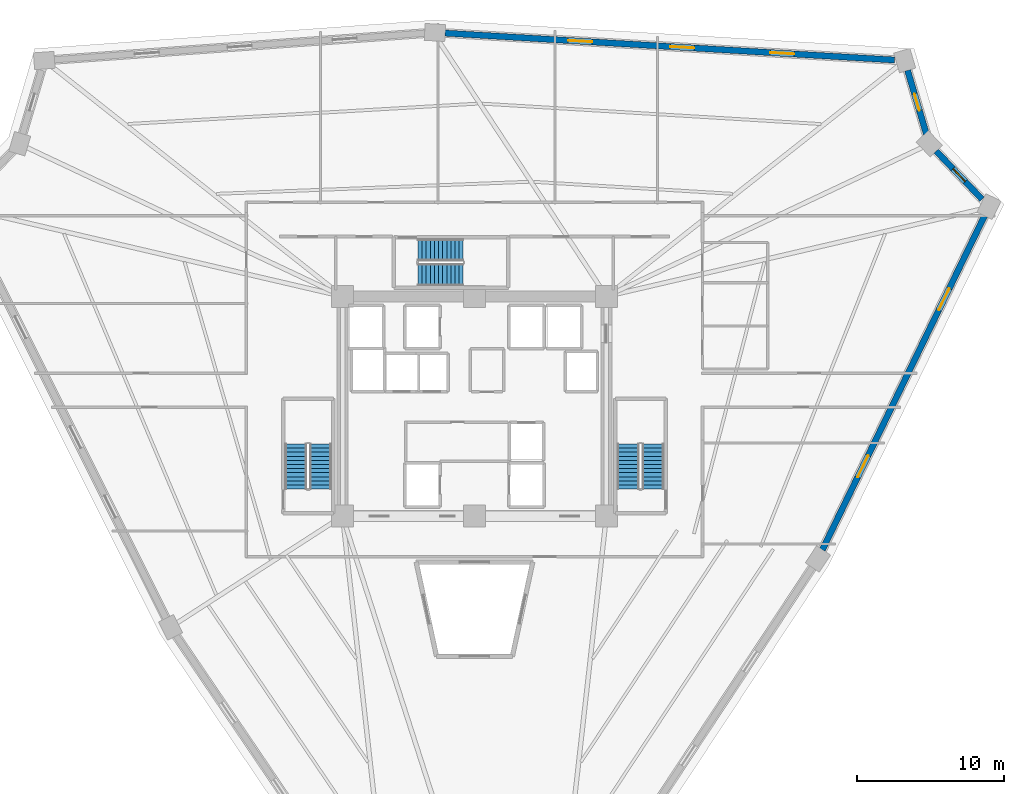
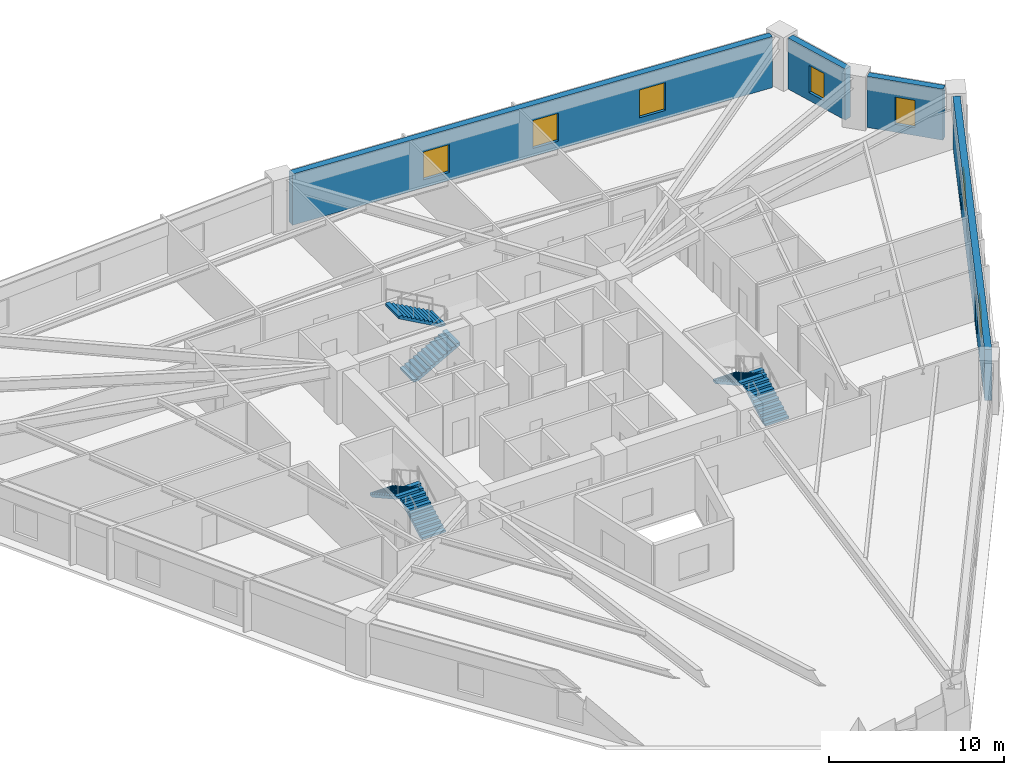
# One storey, part 7 of 8: 7 windows, 6 stair flights, 4 walls, 7 openings, 3 elements without a shape of their own.
"""IFC4 building model written with IfcOpenShell, lengths in metres."""

from ifc_helpers import new_model, si_unit, direction, frame, frame_2d, origin, place, context, subcontext, project, spatial, polyline, rectangle, outline, extrude, source, transform, mapped, material, layer, layer_set, type_object, element, fill, aggregate, save


model = new_model("IFC4")

# Units and contexts
model_context = context("Model", 3, precision=1e-05, world=origin(), true_north=direction((0.0, 1.0)))
body_context = subcontext(model_context, "Body", "Model", "MODEL_VIEW")
ifc_project = project(units=[si_unit("LENGTHUNIT", "METRE"), si_unit("AREAUNIT", "SQUARE_METRE"), si_unit("VOLUMEUNIT", "CUBIC_METRE"), si_unit("PLANEANGLEUNIT", "RADIAN"), si_unit("MASSUNIT", "GRAM", prefix="KILO")], contexts=[model_context])

# Site, building, storey
site_placement = place(None, origin())
site = spatial("IfcSite", under=ifc_project, at=site_placement, CompositionType="ELEMENT")
building_placement = place(site_placement, origin())
building = spatial("IfcBuilding", under=site, at=building_placement, Name="Liaohun Quay Tower", CompositionType="ELEMENT")
storey_placement = place(building_placement, frame((0.0, 0.0, 162.75)))
storey = spatial("IfcBuildingStorey", under=building, at=storey_placement, Name="L42", CompositionType="ELEMENT", Elevation=162.75)

# Wall, openings, windows
ifc_material_1 = material(Name="Precast concrete C50 insulated sandwich", Category="concrete")
ifc_layer = layer(ifc_material_1, 0.419921875, Name="Precast concrete C50 insulated sandwich", Category="concrete")
ifc_layer_set = layer_set([ifc_layer], Name="Precast concrete C50 insulated sandwich")
wall_type = type_object("IfcWallType", Name="WAL-EXT-Z12", PredefinedType="SOLIDWALL", material=ifc_layer_set)
wall_1_placement = place(storey_placement, frame((83.737060546875, 44.202880859375, 0.0), z_axis=(0.0, 0.0, 1.0), x_axis=(0.436800646479, 0.899558333426, 0.0)))
wall_1 = element("IfcWall", 1, at=wall_1_placement, inside=storey, type_object=wall_type, Name="L42 Brutalist Precast Pier Wall 03", PredefinedType="SOLIDWALL", context=body_context, shape_type="SweptSolid", body=[
    extrude(rectangle(XDim=25.347900390625, YDim=0.419921875, at=frame_2d((12.673828125, 0.0))), origin(), (0.0, 0.0, 1.0), 3.570068359375),
])
shared_shape_1 = source(origin(), body_context, "Body", "SweptSolid", [
    extrude(rectangle(XDim=1.64990234375, YDim=1.949951171875, at=frame_2d((0.824951171875, 0.97509765625))), frame((0.0, 0.219970703125, 0.0), z_axis=(0.0, -1.0, 0.0), x_axis=(1.0, 0.0, 0.0)), (0.0, 0.0, 1.0), 0.43994140625),
])
opening_1_placement = place(wall_1_placement, frame((5.511962890625, 0.0, 0.550048828125)))
opening_1 = element("IfcOpeningElement", 2, at=opening_1_placement, cuts=wall_1, Name="Opening W02", PredefinedType="OPENING", context=body_context, shape_type="MappedRepresentation", body=[
    mapped(shared_shape_1, transform((0.0, 0.0, 0.0), x_axis=(1.0, 0.0, 0.0), y_axis=(0.0, 1.0, 0.0), z_axis=(0.0, 0.0, 1.0), scale=1.0)),
])
opening_2_placement = place(wall_1_placement, frame((18.18603515625, 0.0, 0.550048828125)))
opening_2 = element("IfcOpeningElement", 3, at=opening_2_placement, cuts=wall_1, Name="Opening W02", PredefinedType="OPENING", context=body_context, shape_type="MappedRepresentation", body=[
    mapped(shared_shape_1, transform((0.0, 0.0, 0.0), x_axis=(1.0, 0.0, 0.0), y_axis=(0.0, 1.0, 0.0), z_axis=(0.0, 0.0, 1.0), scale=1.0)),
])
ifc_material_2 = material(Name="Triple Low-E argon glazing in thermally broken aluminium", Category="aluminium")
window_type_1 = type_object("IfcWindowType", Name="WIN-PUN-Z2", PartitioningType="DOUBLE_PANEL_VERTICAL", PredefinedType="WINDOW", material=ifc_material_2)
shared_shape_2 = source(origin(), body_context, "Body", "SweptSolid", [
    extrude(rectangle(XDim=1.64990234375, YDim=1.949951171875, at=frame_2d((0.824951171875, 0.97509765625))), frame((0.0, 0.030029296875, 0.0), z_axis=(0.0, -1.0, 0.0), x_axis=(1.0, 0.0, 0.0)), (0.0, 0.0, 1.0), 0.06005859375),
])
window_1_placement = place(opening_1_placement, origin())
window_1 = element("IfcWindow", 4, at=window_1_placement, inside=storey, type_object=window_type_1, Name="L42 Recessed Cold-Climate Punched Window 03-1", OverallHeight=1.949951171875, OverallWidth=1.64990234375, PartitioningType="DOUBLE_PANEL_VERTICAL", PredefinedType="WINDOW", context=body_context, shape_type="MappedRepresentation", body=[
    mapped(shared_shape_2, transform((0.0, 0.0, 0.0), x_axis=(1.0, 0.0, 0.0), y_axis=(0.0, 1.0, 0.0), z_axis=(0.0, 0.0, 1.0), scale=1.0)),
])
fill(opening_1, window_1)
window_2_placement = place(opening_2_placement, origin())
window_2 = element("IfcWindow", 5, at=window_2_placement, inside=storey, type_object=window_type_1, Name="L42 Recessed Cold-Climate Punched Window 03-3", OverallHeight=1.949951171875, OverallWidth=1.64990234375, PartitioningType="DOUBLE_PANEL_VERTICAL", PredefinedType="WINDOW", context=body_context, shape_type="MappedRepresentation", body=[
    mapped(shared_shape_2, transform((0.0, 0.0, 0.0), x_axis=(1.0, 0.0, 0.0), y_axis=(0.0, 1.0, 0.0), z_axis=(0.0, 0.0, 1.0), scale=1.0)),
])
fill(opening_2, window_2)

# Wall, opening, window
wall_2_placement = place(storey_placement, frame((94.634033203125, 68.1259765625, 0.0), z_axis=(0.0, 0.0, 1.0), x_axis=(-0.68927504917, 0.724499763003, 0.0)))
wall_2 = element("IfcWall", 6, at=wall_2_placement, inside=storey, type_object=wall_type, Name="L42 Brutalist Precast Pier Wall 04", PredefinedType="SOLIDWALL", context=body_context, shape_type="SweptSolid", body=[
    extrude(rectangle(XDim=4.539794921875, YDim=0.419921875, at=frame_2d((2.27001953125, 0.0))), origin(), (0.0, 0.0, 1.0), 3.570068359375),
])
shared_shape_3 = source(origin(), body_context, "Body", "SweptSolid", [
    extrude(rectangle(XDim=1.199951171875, YDim=1.89990234375, at=frame_2d((0.60009765625, 0.949951171875))), frame((0.0, 0.219970703125, 0.0), z_axis=(0.0, -1.0, 0.0), x_axis=(1.0, 0.0, 0.0)), (0.0, 0.0, 1.0), 0.43994140625),
])
opening_3_placement = place(wall_2_placement, frame((1.669921875, 0.0, 0.550048828125)))
opening_3 = element("IfcOpeningElement", 7, at=opening_3_placement, cuts=wall_2, Name="Opening W05", PredefinedType="OPENING", context=body_context, shape_type="MappedRepresentation", body=[
    mapped(shared_shape_3, transform((0.0, 0.0, 0.0), x_axis=(1.0, 0.0, 0.0), y_axis=(0.0, 1.0, 0.0), z_axis=(0.0, 0.0, 1.0), scale=1.0)),
])
ifc_material_3 = material(Name="Triple Low-E corner notch glazing", Category="glass")
window_type_2 = type_object("IfcWindowType", Name="WIN-NOTCH", PartitioningType="SINGLE_PANEL", PredefinedType="WINDOW", material=ifc_material_3)
shared_shape_4 = source(origin(), body_context, "Body", "SweptSolid", [
    extrude(rectangle(XDim=1.199951171875, YDim=1.89990234375, at=frame_2d((0.60009765625, 0.949951171875))), frame((0.0, 0.030029296875, 0.0), z_axis=(0.0, -1.0, 0.0), x_axis=(1.0, 0.0, 0.0)), (0.0, 0.0, 1.0), 0.06005859375),
])
window_3_placement = place(opening_3_placement, origin())
window_3 = element("IfcWindow", 8, at=window_3_placement, inside=storey, type_object=window_type_2, Name="L42 Corner Notch Window W05-04", OverallHeight=1.89990234375, OverallWidth=1.199951171875, PartitioningType="SINGLE_PANEL", PredefinedType="WINDOW", context=body_context, shape_type="MappedRepresentation", body=[
    mapped(shared_shape_4, transform((0.0, 0.0, 0.0), x_axis=(1.0, 0.0, 0.0), y_axis=(0.0, 1.0, 0.0), z_axis=(0.0, 0.0, 1.0), scale=1.0)),
])
fill(opening_3, window_3)

wall_3_placement = place(storey_placement, frame((90.833984375, 72.576904296875, 0.0), z_axis=(0.0, 0.0, 1.0), x_axis=(-0.282915903715, 0.959144718708, 0.0)))
wall_3 = element("IfcWall", 9, at=wall_3_placement, inside=storey, type_object=wall_type, Name="L42 Brutalist Precast Pier Wall 05", PredefinedType="SOLIDWALL", context=body_context, shape_type="SweptSolid", body=[
    extrude(rectangle(XDim=4.53125, YDim=0.419921875, at=frame_2d((2.265625, 0.0))), origin(), (0.0, 0.0, 1.0), 3.570068359375),
])
opening_4_placement = place(wall_3_placement, frame((1.666015625, 0.0, 0.550048828125)))
opening_4 = element("IfcOpeningElement", 10, at=opening_4_placement, cuts=wall_3, Name="Opening W05", PredefinedType="OPENING", context=body_context, shape_type="MappedRepresentation", body=[
    mapped(shared_shape_3, transform((0.0, 0.0, 0.0), x_axis=(1.0, 0.0, 0.0), y_axis=(0.0, 1.0, 0.0), z_axis=(0.0, 0.0, 1.0), scale=1.0)),
])
window_4_placement = place(opening_4_placement, origin())
window_4 = element("IfcWindow", 11, at=window_4_placement, inside=storey, type_object=window_type_2, Name="L42 Corner Notch Window W05-05", OverallHeight=1.89990234375, OverallWidth=1.199951171875, PartitioningType="SINGLE_PANEL", PredefinedType="WINDOW", context=body_context, shape_type="MappedRepresentation", body=[
    mapped(shared_shape_4, transform((0.0, 0.0, 0.0), x_axis=(1.0, 0.0, 0.0), y_axis=(0.0, 1.0, 0.0), z_axis=(0.0, 0.0, 1.0), scale=1.0)),
])
fill(opening_4, window_4)

# Wall, openings, windows
wall_4_placement = place(storey_placement, frame((88.66796875, 77.6259765625, 0.0), z_axis=(0.0, 0.0, 1.0), x_axis=(-0.998209336024, 0.059817401095, 0.0)))
wall_4 = element("IfcWall", 12, at=wall_4_placement, inside=storey, type_object=wall_type, Name="L42 Brutalist Precast Pier Wall 06", PredefinedType="SOLIDWALL", context=body_context, shape_type="SweptSolid", body=[
    extrude(rectangle(XDim=30.72900390625, YDim=0.419921875, at=frame_2d((15.364501953125, 0.0))), origin(), (0.0, 0.0, 1.0), 3.570068359375),
])
opening_5_placement = place(wall_4_placement, frame((6.85693359375, 0.0, 0.550048828125)))
opening_5 = element("IfcOpeningElement", 13, at=opening_5_placement, cuts=wall_4, Name="Opening W02", PredefinedType="OPENING", context=body_context, shape_type="MappedRepresentation", body=[
    mapped(shared_shape_1, transform((0.0, 0.0, 0.0), x_axis=(1.0, 0.0, 0.0), y_axis=(0.0, 1.0, 0.0), z_axis=(0.0, 0.0, 1.0), scale=1.0)),
])
opening_6_placement = place(wall_4_placement, frame((13.68994140625, 0.0, 0.550048828125)))
opening_6 = element("IfcOpeningElement", 14, at=opening_6_placement, cuts=wall_4, Name="Opening W02", PredefinedType="OPENING", context=body_context, shape_type="MappedRepresentation", body=[
    mapped(shared_shape_1, transform((0.0, 0.0, 0.0), x_axis=(1.0, 0.0, 0.0), y_axis=(0.0, 1.0, 0.0), z_axis=(0.0, 0.0, 1.0), scale=1.0)),
])
opening_7_placement = place(wall_4_placement, frame((20.672119140625, 0.0, 0.550048828125)))
opening_7 = element("IfcOpeningElement", 15, at=opening_7_placement, cuts=wall_4, Name="Opening W02", PredefinedType="OPENING", context=body_context, shape_type="MappedRepresentation", body=[
    mapped(shared_shape_1, transform((0.0, 0.0, 0.0), x_axis=(1.0, 0.0, 0.0), y_axis=(0.0, 1.0, 0.0), z_axis=(0.0, 0.0, 1.0), scale=1.0)),
])
window_5_placement = place(opening_5_placement, origin())
window_5 = element("IfcWindow", 16, at=window_5_placement, inside=storey, type_object=window_type_1, Name="L42 Recessed Cold-Climate Punched Window 06-1", OverallHeight=1.949951171875, OverallWidth=1.64990234375, PartitioningType="DOUBLE_PANEL_VERTICAL", PredefinedType="WINDOW", context=body_context, shape_type="MappedRepresentation", body=[
    mapped(shared_shape_2, transform((0.0, 0.0, 0.0), x_axis=(1.0, 0.0, 0.0), y_axis=(0.0, 1.0, 0.0), z_axis=(0.0, 0.0, 1.0), scale=1.0)),
])
fill(opening_5, window_5)
window_6_placement = place(opening_6_placement, origin())
window_6 = element("IfcWindow", 17, at=window_6_placement, inside=storey, type_object=window_type_1, Name="L42 Recessed Cold-Climate Punched Window 06-2", OverallHeight=1.949951171875, OverallWidth=1.64990234375, PartitioningType="DOUBLE_PANEL_VERTICAL", PredefinedType="WINDOW", context=body_context, shape_type="MappedRepresentation", body=[
    mapped(shared_shape_2, transform((0.0, 0.0, 0.0), x_axis=(1.0, 0.0, 0.0), y_axis=(0.0, 1.0, 0.0), z_axis=(0.0, 0.0, 1.0), scale=1.0)),
])
fill(opening_6, window_6)
window_7_placement = place(opening_7_placement, origin())
window_7 = element("IfcWindow", 18, at=window_7_placement, inside=storey, type_object=window_type_1, Name="L42 Recessed Cold-Climate Punched Window 06-3", OverallHeight=1.949951171875, OverallWidth=1.64990234375, PartitioningType="DOUBLE_PANEL_VERTICAL", PredefinedType="WINDOW", context=body_context, shape_type="MappedRepresentation", body=[
    mapped(shared_shape_2, transform((0.0, 0.0, 0.0), x_axis=(1.0, 0.0, 0.0), y_axis=(0.0, 1.0, 0.0), z_axis=(0.0, 0.0, 1.0), scale=1.0)),
])
fill(opening_7, window_7)

# Stair, stair flights
ifc_material_4 = material(Name="Concrete C45", Category="concrete")
stair_type = type_object("IfcStairType", Name="STR-CORE-OFF", PredefinedType="HALF_TURN_STAIR", material=ifc_material_4)
stair_1_placement = place(storey_placement, origin())
stair_1 = element("IfcStair", 19, at=stair_1_placement, inside=storey, type_object=stair_type, Name="L42 Smokeproof Core Exit Stair ST-1", PredefinedType="HALF_TURN_STAIR")
stair_flight_type = type_object("IfcStairFlightType", Name="FLT-CORE-155", PredefinedType="STRAIGHT", material=ifc_material_4)
stair_flight_1_placement = place(storey_placement, frame((49.5048828125, 48.35009765625, 0.0), z_axis=(0.0, 0.0, 1.0), x_axis=(0.0, 1.0, 0.0)))
stair_flight_1 = element("IfcStairFlight", 20, at=stair_flight_1_placement, type_object=stair_flight_type, Name="ST-1 flight 1", NumberOfRisers=12, NumberOfTreads=11, PredefinedType="STRAIGHT", RiserHeight=0.15625, TreadLength=0.28, context=body_context, shape_type="SweptSolid", body=[
    extrude(outline(polyline([(0.0, 0.0), (0.0, 0.15625), (0.280029296875, 0.15625), (0.280029296875, 0.3125), (0.56005859375, 0.3125), (0.56005859375, 0.46875), (0.840087890625, 0.46875), (0.840087890625, 0.625), (1.1201171875, 0.625), (1.1201171875, 0.78125), (1.39990234375, 0.78125), (1.39990234375, 0.9375), (1.679931640625, 0.9375), (1.679931640625, 1.09375), (1.9599609375, 1.09375), (1.9599609375, 1.25), (2.239990234375, 1.25), (2.239990234375, 1.40625), (2.52001953125, 1.40625), (2.52001953125, 1.5625), (2.800048828125, 1.5625), (2.800048828125, 1.71875), (3.080078125, 1.71875), (3.080078125, 1.875), (3.080078125, 1.547119140625), (0.3076171875, 0.0), (0.0, 0.0)])), frame((0.0, 0.77490234375, 0.0), z_axis=(0.0, -1.0, 0.0), x_axis=(1.0, 0.0, 0.0)), (0.0, 0.0, 1.0), 1.550048828125),
])
stair_flight_2_placement = place(storey_placement, frame((47.81494140625, 51.429931640625, 1.875), z_axis=(0.0, 0.0, 1.0), x_axis=(0.0, -1.0, 0.0)))
stair_flight_2 = element("IfcStairFlight", 21, at=stair_flight_2_placement, type_object=stair_flight_type, Name="ST-1 flight 2", NumberOfRisers=12, NumberOfTreads=11, PredefinedType="STRAIGHT", RiserHeight=0.15625, TreadLength=0.28, context=body_context, shape_type="SweptSolid", body=[
    extrude(outline(polyline([(0.0, 0.0), (0.0, 0.15625), (0.280029296875, 0.15625), (0.280029296875, 0.3125), (0.56005859375, 0.3125), (0.56005859375, 0.46875), (0.840087890625, 0.46875), (0.840087890625, 0.625), (1.1201171875, 0.625), (1.1201171875, 0.78125), (1.39990234375, 0.78125), (1.39990234375, 0.9375), (1.679931640625, 0.9375), (1.679931640625, 1.09375), (1.9599609375, 1.09375), (1.9599609375, 1.25), (2.239990234375, 1.25), (2.239990234375, 1.40625), (2.52001953125, 1.40625), (2.52001953125, 1.5625), (2.800048828125, 1.5625), (2.800048828125, 1.71875), (3.080078125, 1.71875), (3.080078125, 1.875), (3.080078125, 1.547119140625), (0.3076171875, 0.0), (0.0, 0.0)])), frame((0.0, 0.77490234375, 0.0), z_axis=(0.0, -1.0, 0.0), x_axis=(1.0, 0.0, 0.0)), (0.0, 0.0, 1.0), 1.550048828125),
])
aggregate(stair_1, [stair_flight_1, stair_flight_2])

stair_2_placement = place(storey_placement, origin())
stair_2 = element("IfcStair", 22, at=stair_2_placement, inside=storey, type_object=stair_type, Name="L42 Smokeproof Core Exit Stair ST-2", PredefinedType="HALF_TURN_STAIR")
stair_flight_3_placement = place(storey_placement, frame((72.18505859375, 48.35009765625, 0.0), z_axis=(0.0, 0.0, 1.0), x_axis=(0.0, 1.0, 0.0)))
stair_flight_3 = element("IfcStairFlight", 23, at=stair_flight_3_placement, type_object=stair_flight_type, Name="ST-2 flight 1", NumberOfRisers=12, NumberOfTreads=11, PredefinedType="STRAIGHT", RiserHeight=0.15625, TreadLength=0.28, context=body_context, shape_type="SweptSolid", body=[
    extrude(outline(polyline([(0.0, 0.0), (0.0, 0.15625), (0.280029296875, 0.15625), (0.280029296875, 0.3125), (0.56005859375, 0.3125), (0.56005859375, 0.46875), (0.840087890625, 0.46875), (0.840087890625, 0.625), (1.1201171875, 0.625), (1.1201171875, 0.78125), (1.39990234375, 0.78125), (1.39990234375, 0.9375), (1.679931640625, 0.9375), (1.679931640625, 1.09375), (1.9599609375, 1.09375), (1.9599609375, 1.25), (2.239990234375, 1.25), (2.239990234375, 1.40625), (2.52001953125, 1.40625), (2.52001953125, 1.5625), (2.800048828125, 1.5625), (2.800048828125, 1.71875), (3.080078125, 1.71875), (3.080078125, 1.875), (3.080078125, 1.547119140625), (0.3076171875, 0.0), (0.0, 0.0)])), frame((0.0, 0.77490234375, 0.0), z_axis=(0.0, -1.0, 0.0), x_axis=(1.0, 0.0, 0.0)), (0.0, 0.0, 1.0), 1.550048828125),
])
stair_flight_4_placement = place(storey_placement, frame((70.4951171875, 51.429931640625, 1.875), z_axis=(0.0, 0.0, 1.0), x_axis=(0.0, -1.0, 0.0)))
stair_flight_4 = element("IfcStairFlight", 24, at=stair_flight_4_placement, type_object=stair_flight_type, Name="ST-2 flight 2", NumberOfRisers=12, NumberOfTreads=11, PredefinedType="STRAIGHT", RiserHeight=0.15625, TreadLength=0.28, context=body_context, shape_type="SweptSolid", body=[
    extrude(outline(polyline([(0.0, 0.0), (0.0, 0.15625), (0.280029296875, 0.15625), (0.280029296875, 0.3125), (0.56005859375, 0.3125), (0.56005859375, 0.46875), (0.840087890625, 0.46875), (0.840087890625, 0.625), (1.1201171875, 0.625), (1.1201171875, 0.78125), (1.39990234375, 0.78125), (1.39990234375, 0.9375), (1.679931640625, 0.9375), (1.679931640625, 1.09375), (1.9599609375, 1.09375), (1.9599609375, 1.25), (2.239990234375, 1.25), (2.239990234375, 1.40625), (2.52001953125, 1.40625), (2.52001953125, 1.5625), (2.800048828125, 1.5625), (2.800048828125, 1.71875), (3.080078125, 1.71875), (3.080078125, 1.875), (3.080078125, 1.547119140625), (0.3076171875, 0.0), (0.0, 0.0)])), frame((0.0, 0.77490234375, 0.0), z_axis=(0.0, -1.0, 0.0), x_axis=(1.0, 0.0, 0.0)), (0.0, 0.0, 1.0), 1.550048828125),
])
aggregate(stair_2, [stair_flight_3, stair_flight_4])

stair_3_placement = place(storey_placement, origin())
stair_3 = element("IfcStair", 25, at=stair_3_placement, inside=storey, type_object=stair_type, Name="L42 Smokeproof Core Exit Stair ST-3", PredefinedType="HALF_TURN_STAIR")
stair_flight_5_placement = place(storey_placement, frame((56.14990234375, 62.97509765625, 0.0), z_axis=(0.0, 0.0, 1.0), x_axis=(1.0, 0.0, 0.0)))
stair_flight_5 = element("IfcStairFlight", 26, at=stair_flight_5_placement, type_object=stair_flight_type, Name="ST-3 flight 1", NumberOfRisers=12, NumberOfTreads=11, PredefinedType="STRAIGHT", RiserHeight=0.15625, TreadLength=0.28, context=body_context, shape_type="SweptSolid", body=[
    extrude(outline(polyline([(0.0, 0.0), (0.0, 0.15625), (0.280029296875, 0.15625), (0.280029296875, 0.3125), (0.56005859375, 0.3125), (0.56005859375, 0.46875), (0.840087890625, 0.46875), (0.840087890625, 0.625), (1.1201171875, 0.625), (1.1201171875, 0.78125), (1.39990234375, 0.78125), (1.39990234375, 0.9375), (1.679931640625, 0.9375), (1.679931640625, 1.09375), (1.9599609375, 1.09375), (1.9599609375, 1.25), (2.239990234375, 1.25), (2.239990234375, 1.40625), (2.52001953125, 1.40625), (2.52001953125, 1.5625), (2.800048828125, 1.5625), (2.800048828125, 1.71875), (3.080078125, 1.71875), (3.080078125, 1.875), (3.080078125, 1.547119140625), (0.3076171875, 0.0), (0.0, 0.0)])), frame((0.0, 0.77490234375, 0.0), z_axis=(0.0, -1.0, 0.0), x_axis=(1.0, 0.0, 0.0)), (0.0, 0.0, 1.0), 1.550048828125),
])
stair_flight_6_placement = place(storey_placement, frame((59.22998046875, 64.6650390625, 1.875), z_axis=(0.0, 0.0, 1.0), x_axis=(-1.0, 0.0, 0.0)))
stair_flight_6 = element("IfcStairFlight", 27, at=stair_flight_6_placement, type_object=stair_flight_type, Name="ST-3 flight 2", NumberOfRisers=12, NumberOfTreads=11, PredefinedType="STRAIGHT", RiserHeight=0.15625, TreadLength=0.28, context=body_context, shape_type="SweptSolid", body=[
    extrude(outline(polyline([(0.0, 0.0), (0.0, 0.15625), (0.280029296875, 0.15625), (0.280029296875, 0.3125), (0.56005859375, 0.3125), (0.56005859375, 0.46875), (0.840087890625, 0.46875), (0.840087890625, 0.625), (1.1201171875, 0.625), (1.1201171875, 0.78125), (1.39990234375, 0.78125), (1.39990234375, 0.9375), (1.679931640625, 0.9375), (1.679931640625, 1.09375), (1.9599609375, 1.09375), (1.9599609375, 1.25), (2.239990234375, 1.25), (2.239990234375, 1.40625), (2.52001953125, 1.40625), (2.52001953125, 1.5625), (2.800048828125, 1.5625), (2.800048828125, 1.71875), (3.080078125, 1.71875), (3.080078125, 1.875), (3.080078125, 1.547119140625), (0.3076171875, 0.0), (0.0, 0.0)])), frame((0.0, 0.77490234375, 0.0), z_axis=(0.0, -1.0, 0.0), x_axis=(1.0, 0.0, 0.0)), (0.0, 0.0, 1.0), 1.550048828125),
])
aggregate(stair_3, [stair_flight_5, stair_flight_6])

save(model, "model.ifc")
